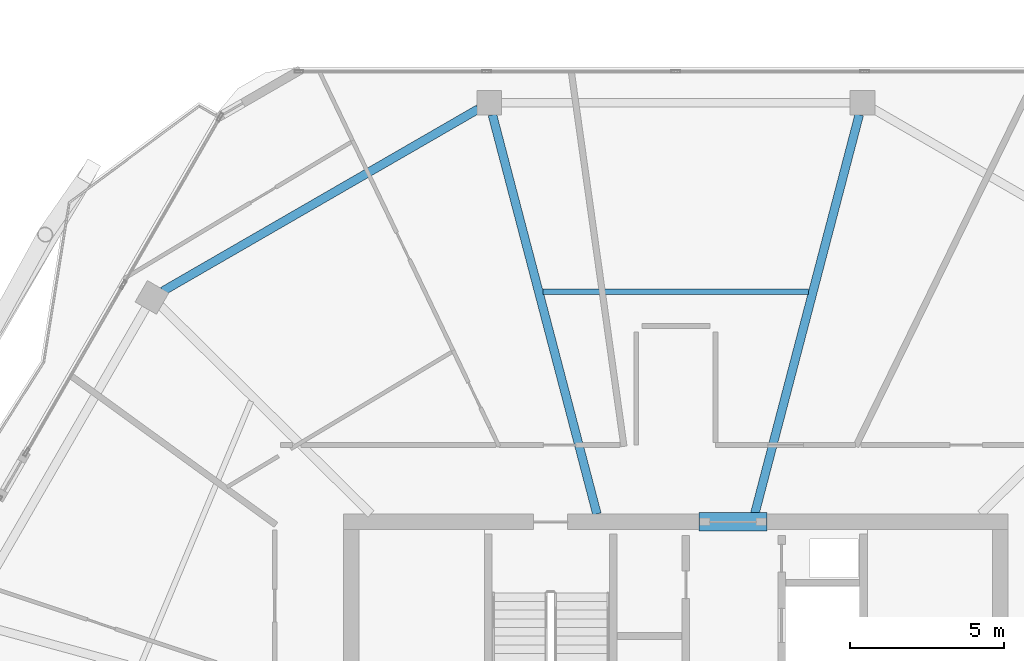
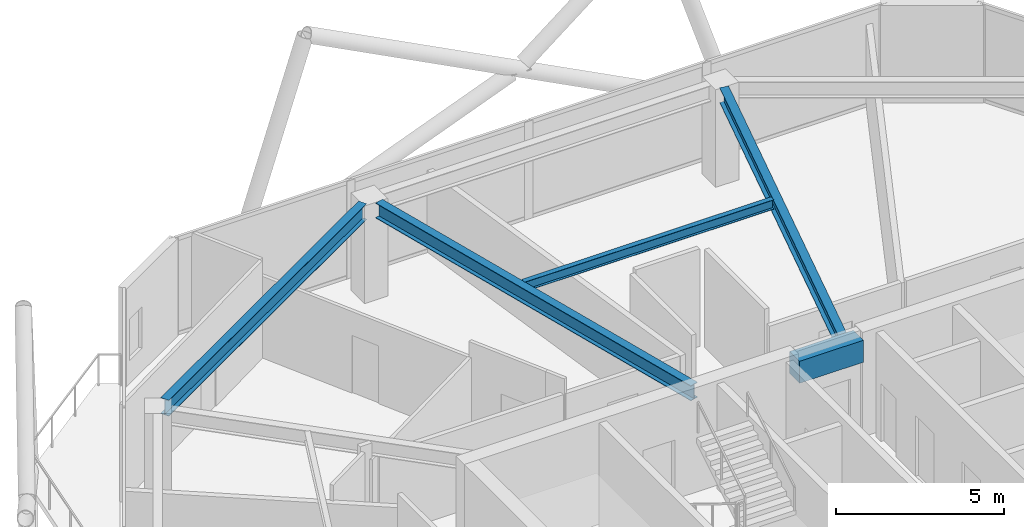
# One storey, part 10 of 23: 5 beams.
"""IFC4 building model written with IfcOpenShell, lengths in metres."""

from ifc_helpers import new_model, si_unit, direction, frame, origin, origin_2d, place, context, subcontext, project, spatial, rectangle, i_section, extrude, material, material_profile, profile_set, type_object, element, save


model = new_model("IFC4")

# Units and contexts
model_context = context("Model", 3, precision=1e-05, world=origin(), true_north=direction((0.0, 1.0)))
body_context = subcontext(model_context, "Body", "Model", "MODEL_VIEW")
ifc_project = project(units=[si_unit("LENGTHUNIT", "METRE"), si_unit("AREAUNIT", "SQUARE_METRE"), si_unit("VOLUMEUNIT", "CUBIC_METRE"), si_unit("PLANEANGLEUNIT", "RADIAN"), si_unit("MASSUNIT", "GRAM", prefix="KILO")], contexts=[model_context])

# Site, building, storey
site_placement = place(None, origin())
site = spatial("IfcSite", under=ifc_project, at=site_placement, CompositionType="ELEMENT")
building_placement = place(site_placement, origin())
building = spatial("IfcBuilding", under=site, at=building_placement, Name="Zuhravey Tower", CompositionType="ELEMENT")
storey_placement = place(building_placement, frame((0.0, 0.0, 315.800048828125)))
storey = spatial("IfcBuildingStorey", under=building, at=storey_placement, Name="L80", CompositionType="ELEMENT", Elevation=315.800048828125)

# Beams
ifc_material_1 = material(Name="Concrete C50/60", Category="concrete")
ifc_material_profile_1 = material_profile(ifc_material_1, rectangle(XDim=0.60009765625, YDim=0.800048828125, at=origin_2d()), Name="RC-600x800")
ifc_profile_set_1 = profile_set([ifc_material_profile_1], Name="Concrete C50/60")
beam_type_1 = type_object("IfcBeamType", Name="Core Coupling Beam RC600x800", PredefinedType="LINTEL", material=ifc_profile_set_1)
beam_1_placement = place(storey_placement, frame((36.751953125, 41.5, 3.14990234375), z_axis=(1.0, 0.0, 0.0), x_axis=(0.0, 1.0, 0.0)))
element("IfcBeam", 1, at=beam_1_placement, inside=storey, type_object=beam_type_1, Name="L80 CB2 BM-L80-CB-N", PredefinedType="LINTEL", context=body_context, shape_type="SweptSolid", body=[
    extrude(rectangle(XDim=0.60009765625, YDim=0.800048828125, at=origin_2d()), origin(), (0.0, 0.0, 1.0), 2.196044921875),
])
ifc_material_2 = material(Name="Steel SM355", Category="steel")
ifc_material_profile_2 = material_profile(ifc_material_2, i_section(OverallWidth=0.280029296875, OverallDepth=0.580078125, WebThickness=0.011962890625, FlangeThickness=0.01904296875, at=origin_2d()), Name="H-580x280x12x19")
ifc_profile_set_2 = profile_set([ifc_material_profile_2], Name="Steel SM355")
beam_type_2 = type_object("IfcBeamType", Name="Perimeter Ring Beam H580x280", PredefinedType="BEAM", material=ifc_profile_set_2)
beam_2_placement = place(storey_placement, frame((29.6123046875, 54.862548828125, 3.260009765625), z_axis=(-0.866023977509, -0.500002470373, 0.0), x_axis=(0.500002470373, -0.866023977509, 0.0)))
element("IfcBeam", 2, at=beam_2_placement, inside=storey, type_object=beam_type_2, Name="L80 PB4 BM-L80-PB-04", PredefinedType="BEAM", context=body_context, shape_type="SweptSolid", body=[
    extrude(i_section(OverallWidth=0.280029296875, OverallDepth=0.580078125, WebThickness=0.011962890625, FlangeThickness=0.01904296875, at=origin_2d()), origin(), (0.0, 0.0, 1.0), 11.798828125),
])
ifc_material_profile_3 = material_profile(ifc_material_2, i_section(OverallWidth=0.280029296875, OverallDepth=0.550048828125, WebThickness=0.010986328125, FlangeThickness=0.01806640625, at=origin_2d()), Name="H-550x280x11x18")
ifc_profile_set_3 = profile_set([ifc_material_profile_3], Name="Steel SM355")
beam_type_3 = type_object("IfcBeamType", Name="Radial Primary Girder H550x280", PredefinedType="BEAM", material=ifc_profile_set_3)
for number, where, z_axis, x_axis, name in (
    (3, (38.553466796875, 41.7529296875, 3.27490234375), (0.253281197106, 0.967392699576, 0.0), (-0.967392699576, 0.253281197106, 0.0), "L80 RG4 BM-L80-RAD-03"),
    (4, (33.446533203125, 41.7529296875, 3.27490234375), (-0.253281197106, 0.967392699576, 0.0), (-0.967392699576, -0.253281197106, 0.0), "L80 RG4 BM-L80-RAD-04"),
):
    element("IfcBeam", number, at=place(storey_placement, frame(where, z_axis=z_axis, x_axis=x_axis)), inside=storey, type_object=beam_type_3, Name=name, PredefinedType="BEAM", context=body_context, shape_type="SweptSolid", body=[
        extrude(i_section(OverallWidth=0.280029296875, OverallDepth=0.550048828125, WebThickness=0.010986328125, FlangeThickness=0.01806640625, at=origin_2d()), origin(), (0.0, 0.0, 1.0), 13.35693359375),
    ])
ifc_material_profile_4 = material_profile(ifc_material_2, i_section(OverallWidth=0.175048828125, OverallDepth=0.35009765625, WebThickness=0.007080078125, FlangeThickness=0.010986328125, at=origin_2d()), Name="H-350x175x7x11")
ifc_profile_set_4 = profile_set([ifc_material_profile_4], Name="Steel SM355")
beam_type_4 = type_object("IfcBeamType", Name="Secondary Floor Joist H350x175", PredefinedType="JOIST", material=ifc_profile_set_4)
beam_3_placement = place(storey_placement, frame((40.29150390625, 48.94091796875, 3.375), z_axis=(-1.0, 0.0, 0.0), x_axis=(0.0, -1.0, 0.0)))
element("IfcBeam", 5, at=beam_3_placement, inside=storey, type_object=beam_type_4, Name="L80 SJ3 BM-L80-SJ-03-1", PredefinedType="JOIST", context=body_context, shape_type="SweptSolid", body=[
    extrude(i_section(OverallWidth=0.175048828125, OverallDepth=0.35009765625, WebThickness=0.007080078125, FlangeThickness=0.010986328125, at=origin_2d()), origin(), (0.0, 0.0, 1.0), 8.5830078125),
])

save(model, "model.ifc")
